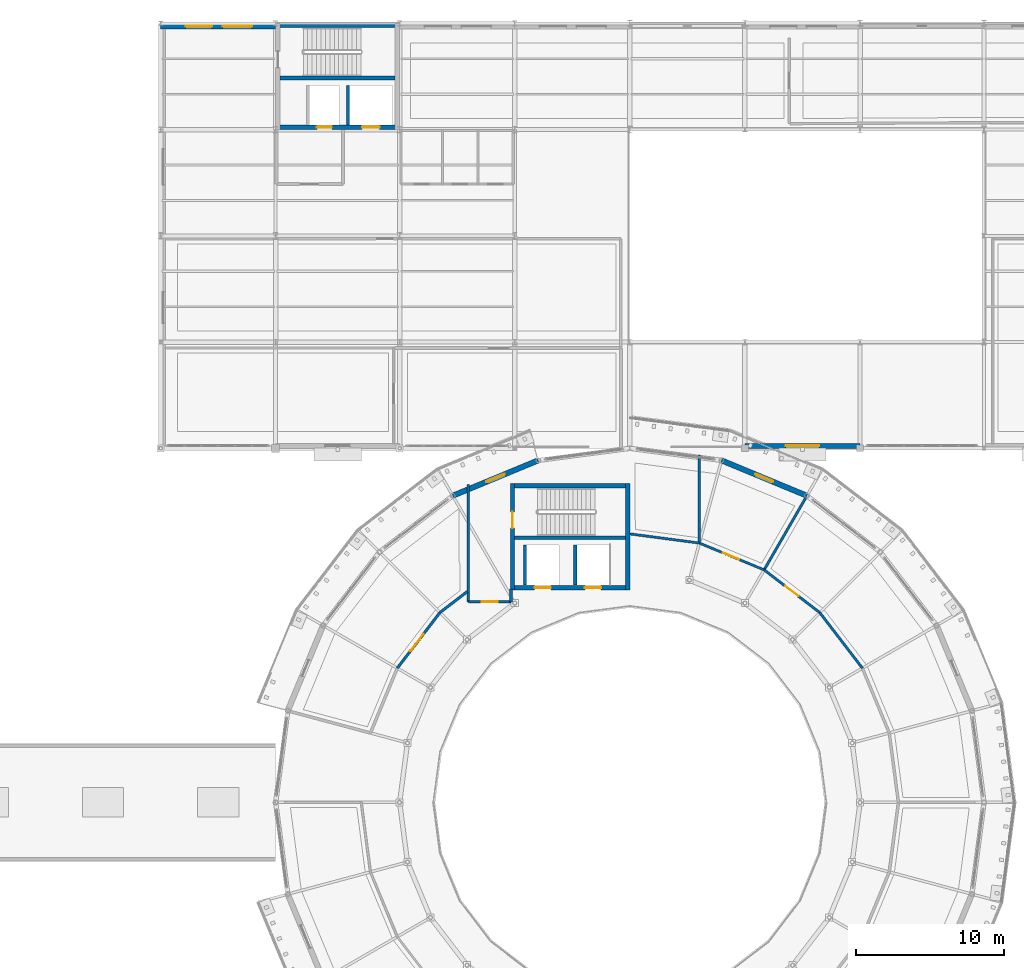
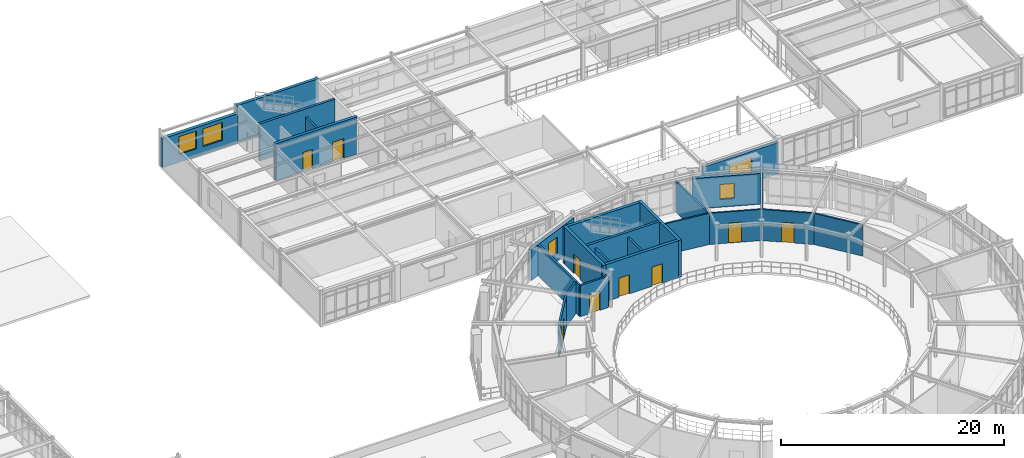
# One storey, part 57 of 70: 26 walls, 9 doors, 5 windows, 14 openings.
"""IFC4 building model written with IfcOpenShell, lengths in metres."""

from ifc_helpers import new_model, si_unit, derived_unit, direction, frame, frame_2d, origin, place, context, subcontext, project, spatial, rectangle, extrude, material, layer, layer_set, type_object, element, fill, save


model = new_model("IFC4")

# Units and contexts
model_context = context("Model", 3, precision=1e-05, world=origin(), true_north=direction((0.0, 1.0)))
body_context = subcontext(model_context, "Body", "Model", "MODEL_VIEW")
ifc_project = project(units=[si_unit("LENGTHUNIT", "METRE"), si_unit("AREAUNIT", "SQUARE_METRE"), si_unit("VOLUMEUNIT", "CUBIC_METRE"), si_unit("PLANEANGLEUNIT", "RADIAN"), si_unit("MASSUNIT", "GRAM", prefix="KILO"), derived_unit("THERMALTRANSMITTANCEUNIT", [(si_unit("POWERUNIT", "WATT"), 1), (si_unit("AREAUNIT", "SQUARE_METRE"), -1), (si_unit("THERMODYNAMICTEMPERATUREUNIT", "KELVIN"), -1)])], contexts=[model_context])

# Site, building, storey
site_placement = place(None, origin())
site = spatial("IfcSite", under=ifc_project, at=site_placement, CompositionType="ELEMENT")
building_placement = place(site_placement, origin())
building = spatial("IfcBuilding", under=site, at=building_placement, Name="Yasenodar Specialist Clinic", CompositionType="ELEMENT")
storey_placement = place(building_placement, frame((0.0, 0.0, 13.199951171875)))
storey = spatial("IfcBuildingStorey", under=building, at=storey_placement, Name="L03", CompositionType="ELEMENT", Elevation=13.199951171875)

# Wall, opening, window
ifc_material_1 = material(Name="Drum Insulated Terracotta Chord Wall", Category="masonry")
ifc_layer_1 = layer(ifc_material_1, 0.364990234375)
ifc_layer_set_1 = layer_set([ifc_layer_1], Name="Drum Insulated Terracotta Chord Wall")
wall_type_1 = type_object("IfcWallType", Name="EW-DRUM-365", PredefinedType="SOLIDWALL", material=ifc_layer_set_1)
wall_1_placement = place(storey_placement, frame((87.211669921875, 81.982177734375, 0.0), z_axis=(0.0, 0.0, 1.0), x_axis=(0.9238876519, -0.382663829839, 0.0)))
wall_1 = element("IfcWall", 1, at=wall_1_placement, inside=storey, type_object=wall_type_1, Name="L03 Exterior Facade Wall 0025", PredefinedType="SOLIDWALL", context=body_context, shape_type="SweptSolid", body=[
    extrude(rectangle(XDim=6.26513671875, YDim=0.364990234375, at=frame_2d((3.132568359375, 0.0))), origin(), (0.0, 0.0, 1.0), 3.3779296875),
])
opening_1_placement = place(wall_1_placement, frame((2.482666015625, 0.0, 0.85009765625)))
opening_1 = element("IfcOpeningElement", 2, at=opening_1_placement, cuts=wall_1, Name="Opening W-21", PredefinedType="OPENING", context=body_context, shape_type="SweptSolid", body=[
    extrude(rectangle(XDim=1.300048828125, YDim=1.64990234375, at=frame_2d((0.64990234375, 0.824951171875))), frame((0.0, 0.1923828125, 0.0), z_axis=(0.0, -1.0, 0.0), x_axis=(1.0, 0.0, 0.0)), (0.0, 0.0, 1.0), 0.385009765625),
])
ifc_material_2 = material(Name="Triple Low-E Argon Glazing in Bronze Aluminium Frame", Category="aluminium")
window_type_1 = type_object("IfcWindowType", Name="WIN-EXT-21", PartitioningType="SINGLE_PANEL", PredefinedType="WINDOW", material=ifc_material_2)
window_1_placement = place(opening_1_placement, origin())
window_1 = element("IfcWindow", 3, at=window_1_placement, inside=storey, type_object=window_type_1, Name="L03 Triple-Glazed Reveal Window 0014", OverallHeight=1.64990234375, OverallWidth=1.300048828125, PartitioningType="SINGLE_PANEL", PredefinedType="WINDOW", context=body_context, shape_type="SweptSolid", body=[
    extrude(rectangle(XDim=1.300048828125, YDim=1.64990234375, at=frame_2d((0.64990234375, 0.824951171875))), frame((0.0, 0.030029296875, 0.0), z_axis=(0.0, -1.0, 0.0), x_axis=(1.0, 0.0, 0.0)), (0.0, 0.0, 1.0), 0.06005859375),
])
fill(opening_1, window_1)

wall_2_placement = place(storey_placement, frame((69.0, 79.584716796875, 0.0), z_axis=(0.0, 0.0, 1.0), x_axis=(0.9238876519, 0.382663829839, 0.0)))
wall_2 = element("IfcWall", 4, at=wall_2_placement, inside=storey, type_object=wall_type_1, Name="L03 Exterior Facade Wall 0026", PredefinedType="SOLIDWALL", context=body_context, shape_type="SweptSolid", body=[
    extrude(rectangle(XDim=6.26513671875, YDim=0.364990234375, at=frame_2d((3.132568359375, 0.0))), origin(), (0.0, 0.0, 1.0), 3.3779296875),
])
opening_2_placement = place(wall_2_placement, frame((2.45751953125, 0.0, 0.85009765625)))
opening_2 = element("IfcOpeningElement", 5, at=opening_2_placement, cuts=wall_2, Name="Opening W-02", PredefinedType="OPENING", context=body_context, shape_type="SweptSolid", body=[
    extrude(rectangle(XDim=1.35009765625, YDim=1.800048828125, at=frame_2d((0.675048828125, 0.89990234375))), frame((0.0, 0.1923828125, 0.0), z_axis=(0.0, -1.0, 0.0), x_axis=(1.0, 0.0, 0.0)), (0.0, 0.0, 1.0), 0.385009765625),
])
window_type_2 = type_object("IfcWindowType", Name="WIN-EXT-02", PartitioningType="SINGLE_PANEL", PredefinedType="WINDOW", material=ifc_material_2)
window_2_placement = place(opening_2_placement, origin())
window_2 = element("IfcWindow", 6, at=window_2_placement, inside=storey, type_object=window_type_2, Name="L03 Triple-Glazed Reveal Window 0015", OverallHeight=1.800048828125, OverallWidth=1.35009765625, PartitioningType="SINGLE_PANEL", PredefinedType="WINDOW", context=body_context, shape_type="SweptSolid", body=[
    extrude(rectangle(XDim=1.35009765625, YDim=1.800048828125, at=frame_2d((0.675048828125, 0.89990234375))), frame((0.0, 0.030029296875, 0.0), z_axis=(0.0, -1.0, 0.0), x_axis=(1.0, 0.0, 0.0)), (0.0, 0.0, 1.0), 0.06005859375),
])
fill(opening_2, window_2)

ifc_material_3 = material(Name="Buff Architectural Terracotta Rainscreen", Category="masonry")
ifc_layer_2 = layer(ifc_material_3, 0.340087890625)
ifc_layer_set_2 = layer_set([ifc_layer_2], Name="Buff Architectural Terracotta Rainscreen")
wall_type_2 = type_object("IfcWallType", Name="EW-TERR-340", PredefinedType="SOLIDWALL", material=ifc_layer_set_2)
wall_3_placement = place(storey_placement, frame((96.60009765625, 82.969970703125, 0.0), z_axis=(0.0, 0.0, 1.0), x_axis=(-1.0, 0.0, 0.0)))
wall_3 = element("IfcWall", 7, at=wall_3_placement, inside=storey, type_object=wall_type_2, Name="L03 Exterior Facade Wall 0143", PredefinedType="SOLIDWALL", context=body_context, shape_type="SweptSolid", body=[
    extrude(rectangle(XDim=7.800048828125, YDim=0.340087890625, at=frame_2d((3.89990234375, 0.0))), origin(), (0.0, 0.0, 1.0), 3.427978515625),
])
opening_3_placement = place(wall_3_placement, frame((2.75, 0.0, 0.85009765625)))
opening_3 = element("IfcOpeningElement", 8, at=opening_3_placement, cuts=wall_3, Name="Opening W-18", PredefinedType="OPENING", context=body_context, shape_type="SweptSolid", body=[
    extrude(rectangle(XDim=2.300048828125, YDim=1.89990234375, at=frame_2d((1.14990234375, 0.949951171875))), frame((0.0, 0.18017578125, 0.0), z_axis=(0.0, -1.0, 0.0), x_axis=(1.0, 0.0, 0.0)), (0.0, 0.0, 1.0), 0.360107421875),
])
window_type_3 = type_object("IfcWindowType", Name="WIN-EXT-18", PartitioningType="SINGLE_PANEL", PredefinedType="WINDOW", material=ifc_material_2)
window_3_placement = place(opening_3_placement, origin())
window_3 = element("IfcWindow", 9, at=window_3_placement, inside=storey, type_object=window_type_3, Name="L03 Triple-Glazed Reveal Window 0159", OverallHeight=1.89990234375, OverallWidth=2.300048828125, PartitioningType="SINGLE_PANEL", PredefinedType="WINDOW", context=body_context, shape_type="SweptSolid", body=[
    extrude(rectangle(XDim=2.300048828125, YDim=1.89990234375, at=frame_2d((1.14990234375, 0.949951171875))), frame((0.0, 0.030029296875, 0.0), z_axis=(0.0, -1.0, 0.0), x_axis=(1.0, 0.0, 0.0)), (0.0, 0.0, 1.0), 0.06005859375),
])
fill(opening_3, window_3)

# Wall, openings, windows
wall_4_placement = place(storey_placement, frame((49.199951171875, 111.39990234375, 0.0), z_axis=(0.0, 0.0, 1.0), x_axis=(1.0, 0.0, 0.0)))
wall_4 = element("IfcWall", 10, at=wall_4_placement, inside=storey, type_object=wall_type_2, Name="L03 Exterior Facade Wall 0174", PredefinedType="SOLIDWALL", context=body_context, shape_type="SweptSolid", body=[
    extrude(rectangle(XDim=7.800048828125, YDim=0.340087890625, at=frame_2d((3.89990234375, 0.0))), origin(), (0.0, 0.0, 1.0), 3.177978515625),
])
opening_4_placement = place(wall_4_placement, frame((1.699951171875, 0.0, 0.85009765625)))
opening_4 = element("IfcOpeningElement", 11, at=opening_4_placement, cuts=wall_4, Name="Opening W-05", PredefinedType="OPENING", context=body_context, shape_type="SweptSolid", body=[
    extrude(rectangle(XDim=1.800048828125, YDim=1.949951171875, at=frame_2d((0.89990234375, 0.97509765625))), frame((0.0, 0.18017578125, 0.0), z_axis=(0.0, -1.0, 0.0), x_axis=(1.0, 0.0, 0.0)), (0.0, 0.0, 1.0), 0.360107421875),
])
opening_5_placement = place(wall_4_placement, frame((4.199951171875, 0.0, 0.85009765625)))
opening_5 = element("IfcOpeningElement", 12, at=opening_5_placement, cuts=wall_4, Name="Opening W-06", PredefinedType="OPENING", context=body_context, shape_type="SweptSolid", body=[
    extrude(rectangle(XDim=2.0, YDim=1.949951171875, at=frame_2d((1.0, 0.97509765625))), frame((0.0, 0.18017578125, 0.0), z_axis=(0.0, -1.0, 0.0), x_axis=(1.0, 0.0, 0.0)), (0.0, 0.0, 1.0), 0.360107421875),
])
window_type_4 = type_object("IfcWindowType", Name="WIN-EXT-05", PartitioningType="SINGLE_PANEL", PredefinedType="WINDOW", material=ifc_material_2)
window_4_placement = place(opening_4_placement, origin())
window_4 = element("IfcWindow", 13, at=window_4_placement, inside=storey, type_object=window_type_4, Name="L03 Triple-Glazed Reveal Window 0194", OverallHeight=1.949951171875, OverallWidth=1.800048828125, PartitioningType="SINGLE_PANEL", PredefinedType="WINDOW", context=body_context, shape_type="SweptSolid", body=[
    extrude(rectangle(XDim=1.800048828125, YDim=1.949951171875, at=frame_2d((0.89990234375, 0.97509765625))), frame((0.0, 0.030029296875, 0.0), z_axis=(0.0, -1.0, 0.0), x_axis=(1.0, 0.0, 0.0)), (0.0, 0.0, 1.0), 0.06005859375),
])
fill(opening_4, window_4)
window_type_5 = type_object("IfcWindowType", Name="WIN-EXT-06", PartitioningType="SINGLE_PANEL", PredefinedType="WINDOW", material=ifc_material_2)
window_5_placement = place(opening_5_placement, origin())
window_5 = element("IfcWindow", 14, at=window_5_placement, inside=storey, type_object=window_type_5, Name="L03 Triple-Glazed Reveal Window 0195", OverallHeight=1.949951171875, OverallWidth=2.0, PartitioningType="SINGLE_PANEL", PredefinedType="WINDOW", context=body_context, shape_type="SweptSolid", body=[
    extrude(rectangle(XDim=2.0, YDim=1.949951171875, at=frame_2d((1.0, 0.97509765625))), frame((0.0, 0.030029296875, 0.0), z_axis=(0.0, -1.0, 0.0), x_axis=(1.0, 0.0, 0.0)), (0.0, 0.0, 1.0), 0.06005859375),
])
fill(opening_5, window_5)

# Wall
ifc_material_4 = material(Name="Outpatient Examination Partition")
ifc_layer_3 = layer(ifc_material_4, 0.14990234375)
ifc_layer_set_3 = layer_set([ifc_layer_3], Name="Outpatient Examination Partition")
wall_type_3 = type_object("IfcWallType", Name="IW-CONS-150", PredefinedType="PARTITIONING", material=ifc_layer_set_3)
wall_5_placement = place(storey_placement, frame((85.7099609375, 76.3798828125, 0.0), z_axis=(0.0, 0.0, 1.0), x_axis=(0.0, 1.0, 0.0)))
element("IfcWall", 15, at=wall_5_placement, inside=storey, type_object=wall_type_3, Name="L03 Retinal Imaging West Radial Partition", PredefinedType="PARTITIONING", context=body_context, shape_type="SweptSolid", body=[
    extrude(rectangle(XDim=5.97021484375, YDim=0.14990234375, at=frame_2d((2.985107421875, 0.0))), origin(), (0.0, 0.0, 1.0), 3.3779296875),
])

# Wall, opening, door
ifc_material_5 = material(Name="Acoustic Double-Gypsum Consulting Partition")
ifc_layer_4 = layer(ifc_material_5, 0.159912109375)
ifc_layer_set_4 = layer_set([ifc_layer_4], Name="Acoustic Double-Gypsum Consulting Partition")
wall_type_4 = type_object("IfcWallType", Name="IW-CONS-160", PredefinedType="PARTITIONING", material=ifc_layer_set_4)
wall_6_placement = place(storey_placement, frame((90.081298828125, 74.5693359375, 0.0), z_axis=(0.0, 0.0, 1.0), x_axis=(-0.923873427778, 0.382698170162, 0.0)))
wall_6 = element("IfcWall", 16, at=wall_6_placement, inside=storey, type_object=wall_type_4, Name="L03 Retinal Imaging Examination Room Partition", PredefinedType="PARTITIONING", context=body_context, shape_type="SweptSolid", body=[
    extrude(rectangle(XDim=4.73095703125, YDim=0.159912109375, at=frame_2d((2.365478515625, 0.0))), origin(), (0.0, 0.0, 1.0), 3.41796875),
])
opening_6_placement = place(wall_6_placement, frame((1.8154296875, 0.0, 0.0)))
opening_6 = element("IfcOpeningElement", 17, at=opening_6_placement, cuts=wall_6, Name="Opening D-06", PredefinedType="OPENING", context=body_context, shape_type="SweptSolid", body=[
    extrude(rectangle(XDim=1.179931640625, YDim=2.199951171875, at=frame_2d((0.58984375, 1.10009765625))), frame((0.0, 0.08984375, 0.0), z_axis=(0.0, -1.0, 0.0), x_axis=(1.0, 0.0, 0.0)), (0.0, 0.0, 1.0), 0.179931640625),
])
ifc_material_6 = material(Name="Powder-Coated Steel and Acoustic Laminate Leaf", Category="steel")
door_type_1 = type_object("IfcDoorType", Name="DR-CLN-118", OperationType="NOTDEFINED", PredefinedType="DOOR", material=ifc_material_6)
door_1_placement = place(opening_6_placement, origin())
door_1 = element("IfcDoor", 18, at=door_1_placement, inside=storey, type_object=door_type_1, Name="L03 Retinal Imaging Examination Room Door", OperationType="SINGLE_SWING_LEFT", OverallHeight=2.199951171875, OverallWidth=1.179931640625, PredefinedType="DOOR", context=body_context, shape_type="SweptSolid", body=[
    extrude(rectangle(XDim=1.179931640625, YDim=2.199951171875, at=frame_2d((0.58984375, 1.10009765625))), frame((0.0, 0.02490234375, 0.0), z_axis=(0.0, -1.0, 0.0), x_axis=(1.0, 0.0, 0.0)), (0.0, 0.0, 1.0), 0.050048828125),
])
fill(opening_6, door_1)

# Wall
wall_7_placement = place(storey_placement, frame((85.71044921875, 76.3798828125, 0.0), z_axis=(0.0, 0.0, 1.0), x_axis=(-0.991446916709, 0.130510579448, 0.0)))
element("IfcWall", 19, at=wall_7_placement, inside=storey, type_object=wall_type_4, Name="L03 Retinal Imaging Examination Room Partition", PredefinedType="PARTITIONING", context=body_context, shape_type="SweptSolid", body=[
    extrude(rectangle(XDim=4.73095703125, YDim=0.159912109375, at=frame_2d((2.365478515625, 0.0))), origin(), (0.0, 0.0, 1.0), 3.41796875),
])

# Wall, opening, door
ifc_material_7 = material(Name="Cleanroom Laboratory Partition")
ifc_layer_5 = layer(ifc_material_7, 0.169921875)
ifc_layer_set_5 = layer_set([ifc_layer_5], Name="Cleanroom Laboratory Partition")
wall_type_5 = type_object("IfcWallType", Name="IW-LAB-170", PredefinedType="PARTITIONING", material=ifc_layer_set_5)
wall_8_placement = place(storey_placement, frame((93.869384765625, 71.669189453125, 0.0), z_axis=(0.0, 0.0, 1.0), x_axis=(-0.793322600477, 0.60880148782, 0.0)))
wall_8 = element("IfcWall", 20, at=wall_8_placement, inside=storey, type_object=wall_type_5, Name="L03 Ophthalmic Laser Treatment Suite Partition", PredefinedType="PARTITIONING", context=body_context, shape_type="SweptSolid", body=[
    extrude(rectangle(XDim=4.751220703125, YDim=0.169921875, at=frame_2d((2.37548828125, 0.0))), origin(), (0.0, 0.0, 1.0), 3.41796875),
])
opening_7_placement = place(wall_8_placement, frame((1.82568359375, 0.0, 0.0)))
opening_7 = element("IfcOpeningElement", 21, at=opening_7_placement, cuts=wall_8, Name="Opening D-05", PredefinedType="OPENING", context=body_context, shape_type="SweptSolid", body=[
    extrude(rectangle(XDim=1.1201171875, YDim=2.179931640625, at=frame_2d((0.56005859375, 1.08984375))), frame((0.0, 0.094970703125, 0.0), z_axis=(0.0, -1.0, 0.0), x_axis=(1.0, 0.0, 0.0)), (0.0, 0.0, 1.0), 0.18994140625),
])
door_type_2 = type_object("IfcDoorType", Name="DR-CLN-112", OperationType="NOTDEFINED", PredefinedType="DOOR", material=ifc_material_6)
door_2_placement = place(opening_7_placement, origin())
door_2 = element("IfcDoor", 22, at=door_2_placement, inside=storey, type_object=door_type_2, Name="L03 Ophthalmic Laser Treatment Suite Door", OperationType="SINGLE_SWING_RIGHT", OverallHeight=2.179931640625, OverallWidth=1.1201171875, PredefinedType="DOOR", context=body_context, shape_type="SweptSolid", body=[
    extrude(rectangle(XDim=1.1201171875, YDim=2.179931640625, at=frame_2d((0.56005859375, 1.08984375))), frame((0.0, 0.02490234375, 0.0), z_axis=(0.0, -1.0, 0.0), x_axis=(1.0, 0.0, 0.0)), (0.0, 0.0, 1.0), 0.050048828125),
])
fill(opening_7, door_2)

# Walls
wall_9_placement = place(storey_placement, frame((96.76171875, 67.89990234375, 0.0), z_axis=(0.0, 0.0, 1.0), x_axis=(-0.608769147025, 0.793347417989, 0.0)))
element("IfcWall", 23, at=wall_9_placement, inside=storey, type_object=wall_type_5, Name="L03 Ophthalmic Laser Treatment Suite Partition", PredefinedType="PARTITIONING", context=body_context, shape_type="SweptSolid", body=[
    extrude(rectangle(XDim=4.751220703125, YDim=0.169921875, at=frame_2d((2.37548828125, 0.0))), origin(), (0.0, 0.0, 1.0), 3.41796875),
])
wall_10_placement = place(storey_placement, frame((90.10009765625, 74.561767578125, 0.0), z_axis=(0.0, 0.0, 1.0), x_axis=(0.500006198144, 0.866021825255, 0.0)))
element("IfcWall", 24, at=wall_10_placement, inside=storey, type_object=wall_type_5, Name="L03 Ophthalmic Laser Treatment Suite Partition", PredefinedType="PARTITIONING", context=body_context, shape_type="SweptSolid", body=[
    extrude(rectangle(XDim=5.6357421875, YDim=0.169921875, at=frame_2d((2.81787109375, 0.0))), origin(), (0.0, 0.0, 1.0), 3.387939453125),
])
ifc_material_8 = material(Name="Fire-Rated Gypsum and Mineral-Wool Wall")
ifc_layer_6 = layer(ifc_material_8, 0.195068359375)
ifc_layer_set_6 = layer_set([ifc_layer_6], Name="Fire-Rated Gypsum and Mineral-Wool Wall")
wall_type_6 = type_object("IfcWallType", Name="IW-LOBBY-195", PredefinedType="PARTITIONING", material=ifc_layer_set_6)
wall_11_placement = place(storey_placement, frame((70.050048828125, 72.39990234375, 0.0), z_axis=(0.0, 0.0, 1.0), x_axis=(0.0, 1.0, 0.0)))
element("IfcWall", 25, at=wall_11_placement, inside=storey, type_object=wall_type_6, Name="L03 C3 Stair Vestibule West Wall", PredefinedType="PARTITIONING", context=body_context, shape_type="SweptSolid", body=[
    extrude(rectangle(XDim=7.9501953125, YDim=0.195068359375, at=frame_2d((3.97509765625, 0.0))), origin(), (0.0, 0.0, 1.0), 3.387939453125),
])

# Wall, opening, door
wall_12_placement = place(storey_placement, frame((70.050048828125, 72.39990234375, 0.0), z_axis=(0.0, 0.0, 1.0), x_axis=(1.0, 0.0, 0.0)))
wall_12 = element("IfcWall", 26, at=wall_12_placement, inside=storey, type_object=wall_type_6, Name="L03 C3 Stair Vestibule South Wall", PredefinedType="PARTITIONING", context=body_context, shape_type="SweptSolid", body=[
    extrude(rectangle(XDim=2.89990234375, YDim=0.195068359375, at=frame_2d((1.449951171875, 0.0))), origin(), (0.0, 0.0, 1.0), 3.41796875),
])
opening_8_placement = place(wall_12_placement, frame((0.89990234375, 0.0, 0.0)))
opening_8 = element("IfcOpeningElement", 27, at=opening_8_placement, cuts=wall_12, Name="Opening FD-01", PredefinedType="OPENING", context=body_context, shape_type="SweptSolid", body=[
    extrude(rectangle(XDim=1.10009765625, YDim=2.14990234375, at=frame_2d((0.550048828125, 1.074951171875))), frame((0.0, 0.107421875, 0.0), z_axis=(0.0, -1.0, 0.0), x_axis=(1.0, 0.0, 0.0)), (0.0, 0.0, 1.0), 0.215087890625),
])
ifc_material_9 = material(Name="Fire-Rated Insulated Steel Door", Category="steel")
door_type_3 = type_object("IfcDoorType", Name="DR-FD-110", OperationType="NOTDEFINED", PredefinedType="DOOR", material=ifc_material_9)
door_3_placement = place(opening_8_placement, origin())
door_3 = element("IfcDoor", 28, at=door_3_placement, inside=storey, type_object=door_type_3, Name="L03 Stair ST-03 Ring Corridor Vestibule Door", OperationType="SINGLE_SWING_LEFT", OverallHeight=2.14990234375, OverallWidth=1.10009765625, PredefinedType="DOOR", context=body_context, shape_type="SweptSolid", body=[
    extrude(rectangle(XDim=1.10009765625, YDim=2.14990234375, at=frame_2d((0.550048828125, 1.074951171875))), frame((0.0, 0.02490234375, 0.0), z_axis=(0.0, -1.0, 0.0), x_axis=(1.0, 0.0, 0.0)), (0.0, 0.0, 1.0), 0.050048828125),
])
fill(opening_8, door_3)

# Wall
wall_13_placement = place(storey_placement, frame((72.949951171875, 72.39990234375, 0.0), z_axis=(0.0, 0.0, 1.0), x_axis=(0.0, 1.0, 0.0)))
element("IfcWall", 29, at=wall_13_placement, inside=storey, type_object=wall_type_6, Name="L03 C3 Stair Vestibule Corner Return Wall", PredefinedType="PARTITIONING", context=body_context, shape_type="SweptSolid", body=[
    extrude(rectangle(XDim=0.85009765625, YDim=0.195068359375, at=frame_2d((0.425048828125, 0.0))), origin(), (0.0, 0.0, 1.0), 3.41796875),
])

# Wall, opening, door
ifc_material_10 = material(Name="Hygienic Double-Stud Clinical Partition")
ifc_layer_7 = layer(ifc_material_10, 0.179931640625)
ifc_layer_set_7 = layer_set([ifc_layer_7], Name="Hygienic Double-Stud Clinical Partition")
wall_type_7 = type_object("IfcWallType", Name="IW-PROC-180", PredefinedType="PARTITIONING", material=ifc_layer_set_7)
wall_14_placement = place(storey_placement, frame((68.130615234375, 71.669189453125, 0.0), z_axis=(0.0, 0.0, 1.0), x_axis=(-0.608769147025, -0.793347417989, 0.0)))
wall_14 = element("IfcWall", 30, at=wall_14_placement, inside=storey, type_object=wall_type_7, Name="L03 Ambulatory Cataract Recovery Suite Partition", PredefinedType="PARTITIONING", context=body_context, shape_type="SweptSolid", body=[
    extrude(rectangle(XDim=4.751220703125, YDim=0.179931640625, at=frame_2d((2.37548828125, 0.0))), origin(), (0.0, 0.0, 1.0), 3.41796875),
])
opening_9_placement = place(wall_14_placement, frame((1.82568359375, 0.0, 0.0)))
opening_9 = element("IfcOpeningElement", 31, at=opening_9_placement, cuts=wall_14, Name="Opening D-09", PredefinedType="OPENING", context=body_context, shape_type="SweptSolid", body=[
    extrude(rectangle(XDim=1.47998046875, YDim=2.239990234375, at=frame_2d((0.739990234375, 1.1201171875))), frame((0.0, 0.10009765625, 0.0), z_axis=(0.0, -1.0, 0.0), x_axis=(1.0, 0.0, 0.0)), (0.0, 0.0, 1.0), 0.199951171875),
])
door_type_4 = type_object("IfcDoorType", Name="DR-BED-148", OperationType="DOUBLE_DOOR_SINGLE_SWING", PredefinedType="DOOR", material=ifc_material_6)
door_4_placement = place(opening_9_placement, origin())
door_4 = element("IfcDoor", 32, at=door_4_placement, inside=storey, type_object=door_type_4, Name="L03 Ambulatory Cataract Recovery Suite Door", OperationType="DOUBLE_DOOR_SINGLE_SWING", OverallHeight=2.239990234375, OverallWidth=1.47998046875, PredefinedType="DOOR", context=body_context, shape_type="SweptSolid", body=[
    extrude(rectangle(XDim=1.47998046875, YDim=2.239990234375, at=frame_2d((0.739990234375, 1.1201171875))), frame((0.0, 0.02490234375, 0.0), z_axis=(0.0, -1.0, 0.0), x_axis=(1.0, 0.0, 0.0)), (0.0, 0.0, 1.0), 0.050048828125),
])
fill(opening_9, door_4)

# Walls
wall_15_placement = place(storey_placement, frame((69.968505859375, 73.079345703125, 0.0), z_axis=(0.0, 0.0, 1.0), x_axis=(-0.7933756116, -0.608732403374, 0.0)))
element("IfcWall", 33, at=wall_15_placement, inside=storey, type_object=wall_type_7, Name="L03 Ambulatory Cataract Recovery Suite Partition", PredefinedType="PARTITIONING", context=body_context, shape_type="SweptSolid", body=[
    extrude(rectangle(XDim=2.316650390625, YDim=0.179931640625, at=frame_2d((1.158203125, 0.0))), origin(), (0.0, 0.0, 1.0), 3.41796875),
])
ifc_material_11 = material(Name="Aerated Concrete Blockwork Fire Shaft Wall", Category="masonry")
ifc_layer_8 = layer(ifc_material_11, 0.205078125)
ifc_layer_set_8 = layer_set([ifc_layer_8], Name="Aerated Concrete Blockwork Fire Shaft Wall")
wall_type_8 = type_object("IfcWallType", Name="IW-SHAFT-205", PredefinedType="PARTITIONING", material=ifc_layer_set_8)
for number, where, z_axis, x_axis, name in (
    (34, (73.89990234375, 73.550048828125, 0.0), (0.0, 0.0, 1.0), (0.0, 1.0, 0.0), "L03 LF-06 Lift Shaft Side Wall"),
    (35, (77.300048828125, 73.550048828125, 0.0), (0.0, 0.0, 1.0), (0.0, 1.0, 0.0), "L03 LF-07 Lift Shaft Side Wall"),
):
    element("IfcWall", number, at=place(storey_placement, frame(where, z_axis=z_axis, x_axis=x_axis)), inside=storey, type_object=wall_type_8, Name=name, PredefinedType="PARTITIONING", context=body_context, shape_type="SweptSolid", body=[
        extrude(rectangle(XDim=2.699951171875, YDim=0.205078125, at=frame_2d((1.35009765625, 0.0))), origin(), (0.0, 0.0, 1.0), 3.780029296875),
    ])
wall_16_placement = place(storey_placement, frame((61.89990234375, 104.699951171875, 0.0), z_axis=(0.0, 0.0, 1.0), x_axis=(0.0, 1.0, 0.0)))
element("IfcWall", 36, at=wall_16_placement, inside=storey, type_object=wall_type_8, Name="L03 LF-04 Lift Shaft Side Wall", PredefinedType="PARTITIONING", context=body_context, shape_type="SweptSolid", body=[
    extrude(rectangle(XDim=2.699951171875, YDim=0.205078125, at=frame_2d((1.35009765625, 0.0))), origin(), (0.0, 0.0, 1.0), 3.447998046875),
])
ifc_material_12 = material(Name="Concrete C35/45", Category="concrete")
ifc_layer_9 = layer(ifc_material_12, 0.25)
ifc_layer_set_9 = layer_set([ifc_layer_9], Name="Concrete C35/45")
wall_type_9 = type_object("IfcWallType", Name="WL-CORE-250", PredefinedType="SHEAR", material=ifc_layer_set_9)
wall_17_placement = place(storey_placement, frame((73.199951171875, 76.75, 0.0), z_axis=(0.0, 0.0, 1.0), x_axis=(1.0, 0.0, 0.0)))
element("IfcWall", 37, at=wall_17_placement, inside=storey, type_object=wall_type_9, Name="L03 Core C3 Central Spine Wall", PredefinedType="SHEAR", context=body_context, shape_type="SweptSolid", body=[
    extrude(rectangle(XDim=7.5, YDim=0.25, at=frame_2d((3.75, 0.0))), origin(), (0.0, 0.0, 1.0), 4.050048828125),
])
wall_18_placement = place(storey_placement, frame((57.300048828125, 107.89990234375, 0.0), z_axis=(0.0, 0.0, 1.0), x_axis=(1.0, 0.0, 0.0)))
element("IfcWall", 38, at=wall_18_placement, inside=storey, type_object=wall_type_9, Name="L03 Core C4 Central Spine Wall", PredefinedType="SHEAR", context=body_context, shape_type="SweptSolid", body=[
    extrude(rectangle(XDim=7.800048828125, YDim=0.25, at=frame_2d((3.89990234375, 0.0))), origin(), (0.0, 0.0, 1.0), 4.050048828125),
])
ifc_layer_10 = layer(ifc_material_12, 0.300048828125)
ifc_layer_set_10 = layer_set([ifc_layer_10], Name="Concrete C35/45")
wall_type_10 = type_object("IfcWallType", Name="WL-CORE-300", PredefinedType="SHEAR", material=ifc_layer_set_10)
wall_19_placement = place(storey_placement, frame((72.89990234375, 80.25, 0.0), z_axis=(0.0, 0.0, 1.0), x_axis=(1.0, 0.0, 0.0)))
element("IfcWall", 39, at=wall_19_placement, inside=storey, type_object=wall_type_10, Name="L03 Core C3 North Shear Wall", PredefinedType="SHEAR", context=body_context, shape_type="SweptSolid", body=[
    extrude(rectangle(XDim=8.10009765625, YDim=0.300048828125, at=frame_2d((4.050048828125, 0.0))), origin(), (0.0, 0.0, 1.0), 4.050048828125),
])

# Wall, openings, doors
wall_20_placement = place(storey_placement, frame((72.89990234375, 73.35009765625, 0.0), z_axis=(0.0, 0.0, 1.0), x_axis=(1.0, 0.0, 0.0)))
wall_20 = element("IfcWall", 40, at=wall_20_placement, inside=storey, type_object=wall_type_10, Name="L03 Core C3 South Shear Wall", PredefinedType="SHEAR", context=body_context, shape_type="SweptSolid", body=[
    extrude(rectangle(XDim=8.10009765625, YDim=0.300048828125, at=frame_2d((4.050048828125, 0.0))), origin(), (0.0, 0.0, 1.0), 4.050048828125),
])
opening_10_placement = place(wall_20_placement, frame((1.64990234375, 0.0, 0.0)))
opening_10 = element("IfcOpeningElement", 41, at=opening_10_placement, cuts=wall_20, Name="Opening LD-03", PredefinedType="OPENING", context=body_context, shape_type="SweptSolid", body=[
    extrude(rectangle(XDim=1.10009765625, YDim=2.10009765625, at=frame_2d((0.550048828125, 1.050048828125))), frame((0.0, 0.16015625, 0.0), z_axis=(0.0, -1.0, 0.0), x_axis=(1.0, 0.0, 0.0)), (0.0, 0.0, 1.0), 0.320068359375),
])
opening_11_placement = place(wall_20_placement, frame((5.050048828125, 0.0, 0.0)))
opening_11 = element("IfcOpeningElement", 42, at=opening_11_placement, cuts=wall_20, Name="Opening LD-03", PredefinedType="OPENING", context=body_context, shape_type="SweptSolid", body=[
    extrude(rectangle(XDim=1.10009765625, YDim=2.10009765625, at=frame_2d((0.550048828125, 1.050048828125))), frame((0.0, 0.16015625, 0.0), z_axis=(0.0, -1.0, 0.0), x_axis=(1.0, 0.0, 0.0)), (0.0, 0.0, 1.0), 0.320068359375),
])
door_type_5 = type_object("IfcDoorType", Name="DR-LD-110", OperationType="DOUBLE_DOOR_SLIDING", PredefinedType="DOOR", material=ifc_material_9)
door_5_placement = place(opening_10_placement, origin())
door_5 = element("IfcDoor", 43, at=door_5_placement, inside=storey, type_object=door_type_5, Name="L03 LF-06 Lift Landing Door", OperationType="DOUBLE_DOOR_SLIDING", OverallHeight=2.10009765625, OverallWidth=1.10009765625, PredefinedType="DOOR", context=body_context, shape_type="SweptSolid", body=[
    extrude(rectangle(XDim=1.10009765625, YDim=2.10009765625, at=frame_2d((0.550048828125, 1.050048828125))), frame((0.0, 0.02490234375, 0.0), z_axis=(0.0, -1.0, 0.0), x_axis=(1.0, 0.0, 0.0)), (0.0, 0.0, 1.0), 0.050048828125),
])
fill(opening_10, door_5)
door_6_placement = place(opening_11_placement, origin())
door_6 = element("IfcDoor", 44, at=door_6_placement, inside=storey, type_object=door_type_5, Name="L03 LF-07 Lift Landing Door", OperationType="DOUBLE_DOOR_SLIDING", OverallHeight=2.10009765625, OverallWidth=1.10009765625, PredefinedType="DOOR", context=body_context, shape_type="SweptSolid", body=[
    extrude(rectangle(XDim=1.10009765625, YDim=2.10009765625, at=frame_2d((0.550048828125, 1.050048828125))), frame((0.0, 0.02490234375, 0.0), z_axis=(0.0, -1.0, 0.0), x_axis=(1.0, 0.0, 0.0)), (0.0, 0.0, 1.0), 0.050048828125),
])
fill(opening_11, door_6)

# Wall, opening, door
wall_21_placement = place(storey_placement, frame((73.050048828125, 73.199951171875, 0.0), z_axis=(0.0, 0.0, 1.0), x_axis=(0.0, 1.0, 0.0)))
wall_21 = element("IfcWall", 45, at=wall_21_placement, inside=storey, type_object=wall_type_10, Name="L03 Core C3 West Shear Wall", PredefinedType="SHEAR", context=body_context, shape_type="SweptSolid", body=[
    extrude(rectangle(XDim=7.199951171875, YDim=0.300048828125, at=frame_2d((3.60009765625, 0.0))), origin(), (0.0, 0.0, 1.0), 4.050048828125),
])
opening_12_placement = place(wall_21_placement, frame((4.199951171875, 0.0, 0.0)))
opening_12 = element("IfcOpeningElement", 46, at=opening_12_placement, cuts=wall_21, Name="Opening FD-01", PredefinedType="OPENING", context=body_context, shape_type="SweptSolid", body=[
    extrude(rectangle(XDim=1.10009765625, YDim=2.14990234375, at=frame_2d((0.550048828125, 1.074951171875))), frame((0.0, 0.16015625, 0.0), z_axis=(0.0, -1.0, 0.0), x_axis=(1.0, 0.0, 0.0)), (0.0, 0.0, 1.0), 0.320068359375),
])
door_7_placement = place(opening_12_placement, origin())
door_7 = element("IfcDoor", 47, at=door_7_placement, inside=storey, type_object=door_type_3, Name="L03 ST-03 Protected Stair Door", OperationType="SINGLE_SWING_RIGHT", OverallHeight=2.14990234375, OverallWidth=1.10009765625, PredefinedType="DOOR", context=body_context, shape_type="SweptSolid", body=[
    extrude(rectangle(XDim=1.10009765625, YDim=2.14990234375, at=frame_2d((0.550048828125, 1.074951171875))), frame((0.0, 0.02490234375, 0.0), z_axis=(0.0, -1.0, 0.0), x_axis=(1.0, 0.0, 0.0)), (0.0, 0.0, 1.0), 0.050048828125),
])
fill(opening_12, door_7)

# Walls
wall_22_placement = place(storey_placement, frame((80.85009765625, 73.199951171875, 0.0), z_axis=(0.0, 0.0, 1.0), x_axis=(0.0, 1.0, 0.0)))
element("IfcWall", 48, at=wall_22_placement, inside=storey, type_object=wall_type_10, Name="L03 Core C3 East Shear Wall", PredefinedType="SHEAR", context=body_context, shape_type="SweptSolid", body=[
    extrude(rectangle(XDim=7.199951171875, YDim=0.300048828125, at=frame_2d((3.60009765625, 0.0))), origin(), (0.0, 0.0, 1.0), 4.050048828125),
])
wall_23_placement = place(storey_placement, frame((57.0, 111.449951171875, 0.0), z_axis=(0.0, 0.0, 1.0), x_axis=(1.0, 0.0, 0.0)))
element("IfcWall", 49, at=wall_23_placement, inside=storey, type_object=wall_type_10, Name="L03 Core C4 North Shear Wall", PredefinedType="SHEAR", context=body_context, shape_type="SweptSolid", body=[
    extrude(rectangle(XDim=8.39990234375, YDim=0.300048828125, at=frame_2d((4.199951171875, 0.0))), origin(), (0.0, 0.0, 1.0), 4.050048828125),
])

# Wall, openings, doors
wall_24_placement = place(storey_placement, frame((57.0, 104.550048828125, 0.0), z_axis=(0.0, 0.0, 1.0), x_axis=(1.0, 0.0, 0.0)))
wall_24 = element("IfcWall", 50, at=wall_24_placement, inside=storey, type_object=wall_type_10, Name="L03 Core C4 South Shear Wall", PredefinedType="SHEAR", context=body_context, shape_type="SweptSolid", body=[
    extrude(rectangle(XDim=8.39990234375, YDim=0.300048828125, at=frame_2d((4.199951171875, 0.0))), origin(), (0.0, 0.0, 1.0), 4.050048828125),
])
opening_13_placement = place(wall_24_placement, frame((2.800048828125, 0.0, 0.0)))
opening_13 = element("IfcOpeningElement", 51, at=opening_13_placement, cuts=wall_24, Name="Opening LD-01", PredefinedType="OPENING", context=body_context, shape_type="SweptSolid", body=[
    extrude(rectangle(XDim=1.0, YDim=2.10009765625, at=frame_2d((0.5, 1.050048828125))), frame((0.0, 0.16015625, 0.0), z_axis=(0.0, -1.0, 0.0), x_axis=(1.0, 0.0, 0.0)), (0.0, 0.0, 1.0), 0.320068359375),
])
opening_14_placement = place(wall_24_placement, frame((5.85009765625, 0.0, 0.0)))
opening_14 = element("IfcOpeningElement", 52, at=opening_14_placement, cuts=wall_24, Name="Opening LD-02", PredefinedType="OPENING", context=body_context, shape_type="SweptSolid", body=[
    extrude(rectangle(XDim=1.199951171875, YDim=2.14990234375, at=frame_2d((0.60009765625, 1.074951171875))), frame((0.0, 0.16015625, 0.0), z_axis=(0.0, -1.0, 0.0), x_axis=(1.0, 0.0, 0.0)), (0.0, 0.0, 1.0), 0.320068359375),
])
door_type_6 = type_object("IfcDoorType", Name="DR-LD-100", OperationType="DOUBLE_DOOR_SLIDING", PredefinedType="DOOR", material=ifc_material_9)
door_8_placement = place(opening_13_placement, origin())
door_8 = element("IfcDoor", 53, at=door_8_placement, inside=storey, type_object=door_type_6, Name="L03 LF-02 Lift Landing Door", OperationType="DOUBLE_DOOR_SLIDING", OverallHeight=2.10009765625, OverallWidth=1.0, PredefinedType="DOOR", context=body_context, shape_type="SweptSolid", body=[
    extrude(rectangle(XDim=1.0, YDim=2.10009765625, at=frame_2d((0.5, 1.050048828125))), frame((0.0, 0.02490234375, 0.0), z_axis=(0.0, -1.0, 0.0), x_axis=(1.0, 0.0, 0.0)), (0.0, 0.0, 1.0), 0.050048828125),
])
fill(opening_13, door_8)
door_type_7 = type_object("IfcDoorType", Name="DR-LD-120", OperationType="DOUBLE_DOOR_SLIDING", PredefinedType="DOOR", material=ifc_material_9)
door_9_placement = place(opening_14_placement, origin())
door_9 = element("IfcDoor", 54, at=door_9_placement, inside=storey, type_object=door_type_7, Name="L03 LF-04 Lift Landing Door", OperationType="DOUBLE_DOOR_SLIDING", OverallHeight=2.14990234375, OverallWidth=1.199951171875, PredefinedType="DOOR", context=body_context, shape_type="SweptSolid", body=[
    extrude(rectangle(XDim=1.199951171875, YDim=2.14990234375, at=frame_2d((0.60009765625, 1.074951171875))), frame((0.0, 0.02490234375, 0.0), z_axis=(0.0, -1.0, 0.0), x_axis=(1.0, 0.0, 0.0)), (0.0, 0.0, 1.0), 0.050048828125),
])
fill(opening_14, door_9)

save(model, "model.ifc")
